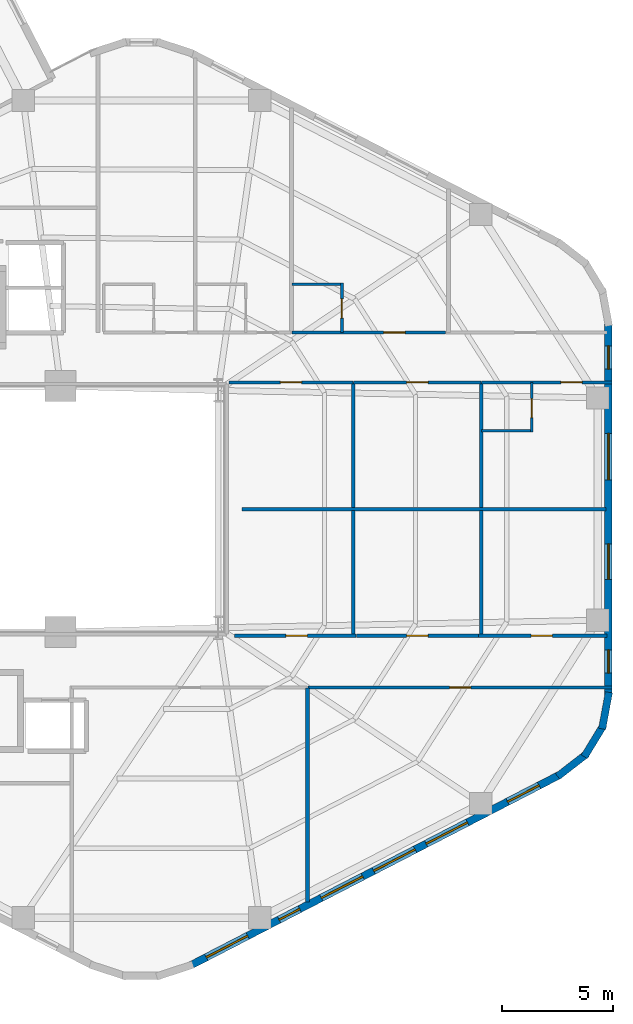
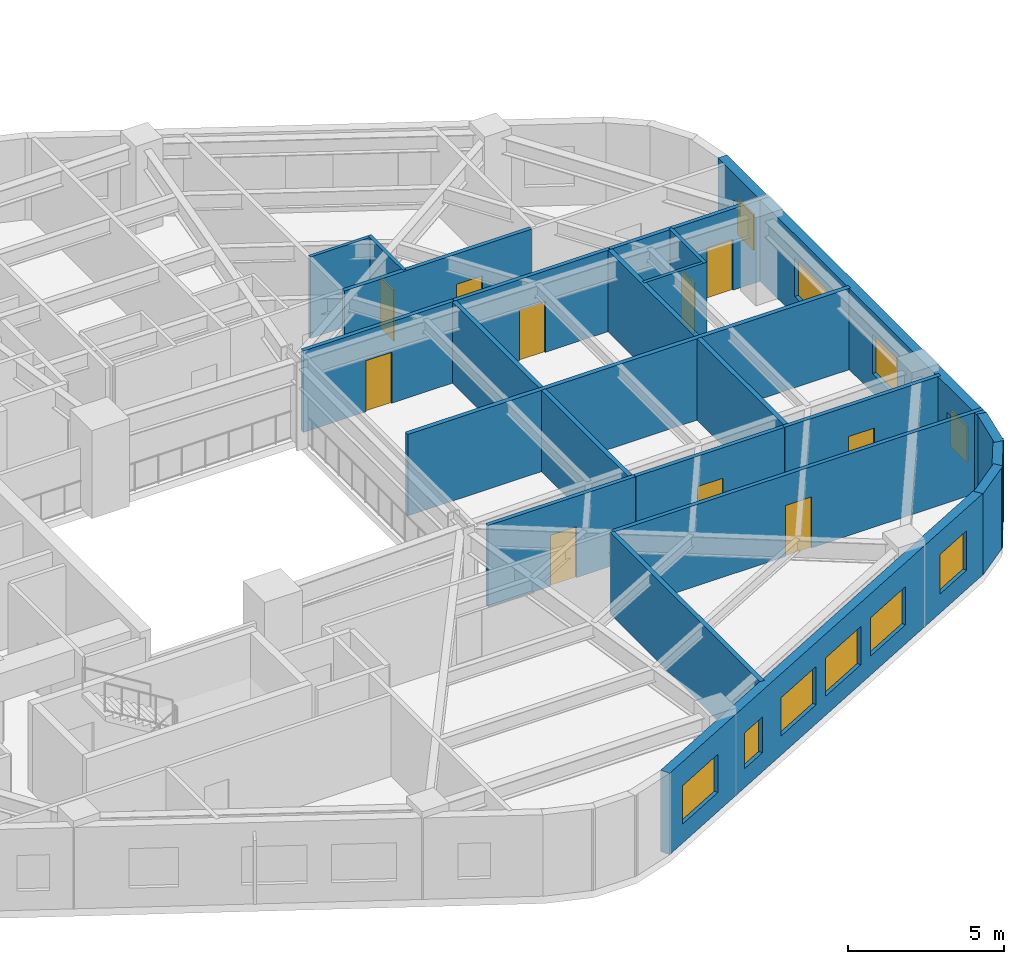
# One storey, part 8 of 11: 23 walls, 10 doors, 10 windows, 20 openings.
"""IFC4 building model written with IfcOpenShell, lengths in metres."""

from ifc_helpers import new_model, si_unit, direction, frame, frame_2d, origin, place, context, subcontext, project, spatial, rectangle, extrude, material, layer, layer_set, type_object, element, fill, save


model = new_model("IFC4")

# Units and contexts
model_context = context("Model", 3, precision=1e-05, world=origin(), true_north=direction((0.0, 1.0)))
body_context = subcontext(model_context, "Body", "Model", "MODEL_VIEW")
ifc_project = project(units=[si_unit("LENGTHUNIT", "METRE"), si_unit("AREAUNIT", "SQUARE_METRE"), si_unit("VOLUMEUNIT", "CUBIC_METRE"), si_unit("PLANEANGLEUNIT", "RADIAN"), si_unit("MASSUNIT", "GRAM", prefix="KILO"), si_unit("THERMODYNAMICTEMPERATUREUNIT", "KELVIN"), si_unit("POWERUNIT", "WATT")], contexts=[model_context])

# Site, building, storey
site_placement = place(None, origin())
site = spatial("IfcSite", under=ifc_project, at=site_placement, CompositionType="ELEMENT")
building_placement = place(site_placement, origin())
building = spatial("IfcBuilding", under=site, at=building_placement, Name="Skarre Station Tower", CompositionType="ELEMENT")
storey_placement = place(building_placement, frame((0.0, 0.0, 146.39990234375)))
storey = spatial("IfcBuildingStorey", under=building, at=storey_placement, Name="L39", CompositionType="ELEMENT", Elevation=146.39990234375)

# Wall, opening, door
ifc_material_1 = material(Name="Acoustic Steel-Stud Gypsum Partition", Category="steel")
ifc_layer_1 = layer(ifc_material_1, 0.14990234375, Name="Acoustic Steel-Stud Gypsum Partition")
ifc_layer_set_1 = layer_set([ifc_layer_1], Name="Acoustic Steel-Stud Gypsum Partition")
wall_type_1 = type_object("IfcWallType", Name="Fire-Rated Corridor Acoustic Partition 150", PredefinedType="PARTITIONING", material=ifc_layer_set_1)
wall_1_placement = place(storey_placement, frame((49.7080078125, 31.9599609375, 0.0), z_axis=(0.0, 0.0, 1.0), x_axis=(-1.0, 0.0, 0.0)))
wall_1 = element("IfcWall", 1, at=wall_1_placement, inside=storey, type_object=wall_type_1, Name="L39 Interior Partition WL-PT-L39-NW3-CW", PredefinedType="PARTITIONING", context=body_context, shape_type="SweptSolid", body=[
    extrude(rectangle(XDim=6.93408203125, YDim=0.14990234375, at=frame_2d((3.467041015625, 0.0))), origin(), (0.0, 0.0, 1.0), 3.190185546875),
])
opening_1_placement = place(wall_1_placement, frame((1.830078125, 0.0, 0.0)))
opening_1 = element("IfcOpeningElement", 2, at=opening_1_placement, cuts=wall_1, Name="Opening DR-FD60", PredefinedType="OPENING", context=body_context, shape_type="SweptSolid", body=[
    extrude(rectangle(XDim=0.9599609375, YDim=2.0, at=frame_2d((0.47998046875, 1.0))), frame((0.0, 0.0849609375, 0.0), z_axis=(0.0, -1.0, 0.0), x_axis=(1.0, 0.0, 0.0)), (0.0, 0.0, 1.0), 0.169921875),
])
ifc_material_2 = material(Name="Nordic White-Oak Veneer Solid-Core Fire Leaf", Category="wood")
door_type_1 = type_object("IfcDoorType", Name="Corridor Suite Entry Fire Door FD60 960x2150", OperationType="SINGLE_SWING_LEFT", PredefinedType="DOOR", material=ifc_material_2)
door_1_placement = place(opening_1_placement, origin())
door_1 = element("IfcDoor", 3, at=door_1_placement, inside=storey, type_object=door_type_1, Name="L39 NW3 Entry Door", OperationType="SINGLE_SWING_LEFT", OverallHeight=2.0, OverallWidth=0.9599609375, PredefinedType="DOOR", context=body_context, shape_type="SweptSolid", body=[
    extrude(rectangle(XDim=0.9599609375, YDim=2.0, at=frame_2d((0.47998046875, 1.0))), frame((0.0, 0.02490234375, 0.0), z_axis=(0.0, -1.0, 0.0), x_axis=(1.0, 0.0, 0.0)), (0.0, 0.0, 1.0), 0.050048828125),
])
fill(opening_1, door_1)

wall_2_placement = place(storey_placement, frame((39.949951171875, 29.7099609375, 0.0), z_axis=(0.0, 0.0, 1.0), x_axis=(1.0, 0.0, 0.0)))
wall_2 = element("IfcWall", 4, at=wall_2_placement, inside=storey, type_object=wall_type_1, Name="L39 Interior Partition WL-PT-L39-EWN1-CW", PredefinedType="PARTITIONING", context=body_context, shape_type="SweptSolid", body=[
    extrude(rectangle(XDim=5.583984375, YDim=0.14990234375, at=frame_2d((2.7919921875, 0.0))), origin(), (0.0, 0.0, 1.0), 3.190185546875),
])
opening_2_placement = place(wall_2_placement, frame((2.31201171875, 0.0, 0.0)))
opening_2 = element("IfcOpeningElement", 5, at=opening_2_placement, cuts=wall_2, Name="Opening DR-FD60", PredefinedType="OPENING", context=body_context, shape_type="SweptSolid", body=[
    extrude(rectangle(XDim=0.9599609375, YDim=2.0, at=frame_2d((0.47998046875, 1.0))), frame((0.0, 0.0849609375, 0.0), z_axis=(0.0, -1.0, 0.0), x_axis=(1.0, 0.0, 0.0)), (0.0, 0.0, 1.0), 0.169921875),
])
door_2_placement = place(opening_2_placement, origin())
door_2 = element("IfcDoor", 6, at=door_2_placement, inside=storey, type_object=door_type_1, Name="L39 EWN1 Entry Door", OperationType="SINGLE_SWING_LEFT", OverallHeight=2.0, OverallWidth=0.9599609375, PredefinedType="DOOR", context=body_context, shape_type="SweptSolid", body=[
    extrude(rectangle(XDim=0.9599609375, YDim=2.0, at=frame_2d((0.47998046875, 1.0))), frame((0.0, 0.02490234375, 0.0), z_axis=(0.0, -1.0, 0.0), x_axis=(1.0, 0.0, 0.0)), (0.0, 0.0, 1.0), 0.050048828125),
])
fill(opening_2, door_2)

wall_3_placement = place(storey_placement, frame((45.56396484375, 29.7099609375, 0.0), z_axis=(0.0, 0.0, 1.0), x_axis=(1.0, 0.0, 0.0)))
wall_3 = element("IfcWall", 7, at=wall_3_placement, inside=storey, type_object=wall_type_1, Name="L39 Interior Partition WL-PT-L39-EWN2-CW", PredefinedType="PARTITIONING", context=body_context, shape_type="SweptSolid", body=[
    extrude(rectangle(XDim=5.739990234375, YDim=0.14990234375, at=frame_2d((2.8701171875, 0.0))), origin(), (0.0, 0.0, 1.0), 3.190185546875),
])
opening_3_placement = place(wall_3_placement, frame((2.389892578125, 0.0, 0.0)))
opening_3 = element("IfcOpeningElement", 8, at=opening_3_placement, cuts=wall_3, Name="Opening DR-FD60", PredefinedType="OPENING", context=body_context, shape_type="SweptSolid", body=[
    extrude(rectangle(XDim=0.9599609375, YDim=2.0, at=frame_2d((0.47998046875, 1.0))), frame((0.0, 0.0849609375, 0.0), z_axis=(0.0, -1.0, 0.0), x_axis=(1.0, 0.0, 0.0)), (0.0, 0.0, 1.0), 0.169921875),
])
door_3_placement = place(opening_3_placement, origin())
door_3 = element("IfcDoor", 9, at=door_3_placement, inside=storey, type_object=door_type_1, Name="L39 EWN2 Entry Door", OperationType="SINGLE_SWING_LEFT", OverallHeight=2.0, OverallWidth=0.9599609375, PredefinedType="DOOR", context=body_context, shape_type="SweptSolid", body=[
    extrude(rectangle(XDim=0.9599609375, YDim=2.0, at=frame_2d((0.47998046875, 1.0))), frame((0.0, 0.02490234375, 0.0), z_axis=(0.0, -1.0, 0.0), x_axis=(1.0, 0.0, 0.0)), (0.0, 0.0, 1.0), 0.050048828125),
])
fill(opening_3, door_3)

wall_4_placement = place(storey_placement, frame((51.333984375, 29.7099609375, 0.0), z_axis=(0.0, 0.0, 1.0), x_axis=(1.0, 0.0, 0.0)))
wall_4 = element("IfcWall", 10, at=wall_4_placement, inside=storey, type_object=wall_type_1, Name="L39 Interior Partition WL-PT-L39-EWN3-CW", PredefinedType="PARTITIONING", context=body_context, shape_type="SweptSolid", body=[
    extrude(rectangle(XDim=5.8740234375, YDim=0.14990234375, at=frame_2d((2.93701171875, 0.0))), origin(), (0.0, 0.0, 1.0), 3.190185546875),
])
opening_4_placement = place(wall_4_placement, frame((3.572021484375, 0.0, 0.0)))
opening_4 = element("IfcOpeningElement", 11, at=opening_4_placement, cuts=wall_4, Name="Opening DR-FD60", PredefinedType="OPENING", context=body_context, shape_type="SweptSolid", body=[
    extrude(rectangle(XDim=0.9599609375, YDim=2.0, at=frame_2d((0.47998046875, 1.0))), frame((0.0, 0.0849609375, 0.0), z_axis=(0.0, -1.0, 0.0), x_axis=(1.0, 0.0, 0.0)), (0.0, 0.0, 1.0), 0.169921875),
])
door_4_placement = place(opening_4_placement, origin())
door_4 = element("IfcDoor", 12, at=door_4_placement, inside=storey, type_object=door_type_1, Name="L39 EWN3 Entry Door", OperationType="SINGLE_SWING_LEFT", OverallHeight=2.0, OverallWidth=0.9599609375, PredefinedType="DOOR", context=body_context, shape_type="SweptSolid", body=[
    extrude(rectangle(XDim=0.9599609375, YDim=2.0, at=frame_2d((0.47998046875, 1.0))), frame((0.0, 0.02490234375, 0.0), z_axis=(0.0, -1.0, 0.0), x_axis=(1.0, 0.0, 0.0)), (0.0, 0.0, 1.0), 0.050048828125),
])
fill(opening_4, door_4)

wall_5_placement = place(storey_placement, frame((45.6689453125, 18.2900390625, 0.0), z_axis=(0.0, 0.0, 1.0), x_axis=(-1.0, 0.0, 0.0)))
wall_5 = element("IfcWall", 13, at=wall_5_placement, inside=storey, type_object=wall_type_1, Name="L39 Interior Partition WL-PT-L39-EWS1-CW", PredefinedType="PARTITIONING", context=body_context, shape_type="SweptSolid", body=[
    extrude(rectangle(XDim=5.468994140625, YDim=0.14990234375, at=frame_2d((2.734375, 0.0))), origin(), (0.0, 0.0, 1.0), 3.190185546875),
])
opening_5_placement = place(wall_5_placement, frame((2.197021484375, 0.0, 0.0)))
opening_5 = element("IfcOpeningElement", 14, at=opening_5_placement, cuts=wall_5, Name="Opening DR-FD60", PredefinedType="OPENING", context=body_context, shape_type="SweptSolid", body=[
    extrude(rectangle(XDim=0.9599609375, YDim=2.0, at=frame_2d((0.47998046875, 1.0))), frame((0.0, 0.0849609375, 0.0), z_axis=(0.0, -1.0, 0.0), x_axis=(1.0, 0.0, 0.0)), (0.0, 0.0, 1.0), 0.169921875),
])
door_5_placement = place(opening_5_placement, origin())
door_5 = element("IfcDoor", 15, at=door_5_placement, inside=storey, type_object=door_type_1, Name="L39 EWS1 Entry Door", OperationType="SINGLE_SWING_LEFT", OverallHeight=2.0, OverallWidth=0.9599609375, PredefinedType="DOOR", context=body_context, shape_type="SweptSolid", body=[
    extrude(rectangle(XDim=0.9599609375, YDim=2.0, at=frame_2d((0.47998046875, 1.0))), frame((0.0, 0.02490234375, 0.0), z_axis=(0.0, -1.0, 0.0), x_axis=(1.0, 0.0, 0.0)), (0.0, 0.0, 1.0), 0.050048828125),
])
fill(opening_5, door_5)

wall_6_placement = place(storey_placement, frame((51.18896484375, 18.2900390625, 0.0), z_axis=(0.0, 0.0, 1.0), x_axis=(-1.0, 0.0, 0.0)))
wall_6 = element("IfcWall", 16, at=wall_6_placement, inside=storey, type_object=wall_type_1, Name="L39 Interior Partition WL-PT-L39-EWS2-CW", PredefinedType="PARTITIONING", context=body_context, shape_type="SweptSolid", body=[
    extrude(rectangle(XDim=5.510009765625, YDim=0.14990234375, at=frame_2d((2.7548828125, 0.0))), origin(), (0.0, 0.0, 1.0), 3.190185546875),
])
opening_6_placement = place(wall_6_placement, frame((2.27490234375, 0.0, 0.0)))
opening_6 = element("IfcOpeningElement", 17, at=opening_6_placement, cuts=wall_6, Name="Opening DR-FD60", PredefinedType="OPENING", context=body_context, shape_type="SweptSolid", body=[
    extrude(rectangle(XDim=0.9599609375, YDim=2.0, at=frame_2d((0.47998046875, 1.0))), frame((0.0, 0.0849609375, 0.0), z_axis=(0.0, -1.0, 0.0), x_axis=(1.0, 0.0, 0.0)), (0.0, 0.0, 1.0), 0.169921875),
])
door_6_placement = place(opening_6_placement, origin())
door_6 = element("IfcDoor", 18, at=door_6_placement, inside=storey, type_object=door_type_1, Name="L39 EWS2 Entry Door", OperationType="SINGLE_SWING_LEFT", OverallHeight=2.0, OverallWidth=0.9599609375, PredefinedType="DOOR", context=body_context, shape_type="SweptSolid", body=[
    extrude(rectangle(XDim=0.9599609375, YDim=2.0, at=frame_2d((0.47998046875, 1.0))), frame((0.0, 0.02490234375, 0.0), z_axis=(0.0, -1.0, 0.0), x_axis=(1.0, 0.0, 0.0)), (0.0, 0.0, 1.0), 0.050048828125),
])
fill(opening_6, door_6)

wall_7_placement = place(storey_placement, frame((56.988037109375, 18.2900390625, 0.0), z_axis=(0.0, 0.0, 1.0), x_axis=(-1.0, 0.0, 0.0)))
wall_7 = element("IfcWall", 19, at=wall_7_placement, inside=storey, type_object=wall_type_1, Name="L39 Interior Partition WL-PT-L39-EWS3-CW", PredefinedType="PARTITIONING", context=body_context, shape_type="SweptSolid", body=[
    extrude(rectangle(XDim=5.7890625, YDim=0.14990234375, at=frame_2d((2.89453125, 0.0))), origin(), (0.0, 0.0, 1.0), 3.190185546875),
])
opening_7_placement = place(wall_7_placement, frame((2.471923828125, 0.0, 0.0)))
opening_7 = element("IfcOpeningElement", 20, at=opening_7_placement, cuts=wall_7, Name="Opening DR-FD60", PredefinedType="OPENING", context=body_context, shape_type="SweptSolid", body=[
    extrude(rectangle(XDim=0.9599609375, YDim=2.0, at=frame_2d((0.47998046875, 1.0))), frame((0.0, 0.0849609375, 0.0), z_axis=(0.0, -1.0, 0.0), x_axis=(1.0, 0.0, 0.0)), (0.0, 0.0, 1.0), 0.169921875),
])
door_7_placement = place(opening_7_placement, origin())
door_7 = element("IfcDoor", 21, at=door_7_placement, inside=storey, type_object=door_type_1, Name="L39 EWS3 Entry Door", OperationType="SINGLE_SWING_LEFT", OverallHeight=2.0, OverallWidth=0.9599609375, PredefinedType="DOOR", context=body_context, shape_type="SweptSolid", body=[
    extrude(rectangle(XDim=0.9599609375, YDim=2.0, at=frame_2d((0.47998046875, 1.0))), frame((0.0, 0.02490234375, 0.0), z_axis=(0.0, -1.0, 0.0), x_axis=(1.0, 0.0, 0.0)), (0.0, 0.0, 1.0), 0.050048828125),
])
fill(opening_7, door_7)

wall_8_placement = place(storey_placement, frame((43.4970703125, 15.9599609375, 0.0), z_axis=(0.0, 0.0, 1.0), x_axis=(1.0, 0.0, 0.0)))
wall_8 = element("IfcWall", 22, at=wall_8_placement, inside=storey, type_object=wall_type_1, Name="L39 Interior Partition WL-PT-L39-SW2-CW", PredefinedType="PARTITIONING", context=body_context, shape_type="SweptSolid", body=[
    extrude(rectangle(XDim=13.7109375, YDim=0.14990234375, at=frame_2d((6.85546875, 0.0))), origin(), (0.0, 0.0, 1.0), 3.190185546875),
])
opening_8_placement = place(wall_8_placement, frame((6.388916015625, 0.0, 0.0)))
opening_8 = element("IfcOpeningElement", 23, at=opening_8_placement, cuts=wall_8, Name="Opening DR-FD60", PredefinedType="OPENING", context=body_context, shape_type="SweptSolid", body=[
    extrude(rectangle(XDim=0.9599609375, YDim=2.0, at=frame_2d((0.47998046875, 1.0))), frame((0.0, 0.0849609375, 0.0), z_axis=(0.0, -1.0, 0.0), x_axis=(1.0, 0.0, 0.0)), (0.0, 0.0, 1.0), 0.169921875),
])
door_8_placement = place(opening_8_placement, origin())
door_8 = element("IfcDoor", 24, at=door_8_placement, inside=storey, type_object=door_type_1, Name="L39 SW2 Entry Door", OperationType="SINGLE_SWING_LEFT", OverallHeight=2.0, OverallWidth=0.9599609375, PredefinedType="DOOR", context=body_context, shape_type="SweptSolid", body=[
    extrude(rectangle(XDim=0.9599609375, YDim=2.0, at=frame_2d((0.47998046875, 1.0))), frame((0.0, 0.02490234375, 0.0), z_axis=(0.0, -1.0, 0.0), x_axis=(1.0, 0.0, 0.0)), (0.0, 0.0, 1.0), 0.050048828125),
])
fill(opening_8, door_8)

ifc_material_3 = material(Name="Insulated Timber-Stud Gypsum Partition", Category="wood")
ifc_layer_2 = layer(ifc_material_3, 0.1201171875, Name="Insulated Timber-Stud Gypsum Partition")
ifc_layer_set_2 = layer_set([ifc_layer_2], Name="Insulated Timber-Stud Gypsum Partition")
wall_type_2 = type_object("IfcWallType", Name="Internal Suite Acoustic Partition 120", PredefinedType="PARTITIONING", material=ifc_layer_set_2)
wall_9_placement = place(storey_placement, frame((45.033935546875, 31.9599609375, 0.0), z_axis=(0.0, 0.0, 1.0), x_axis=(0.0, 1.0, 0.0)))
wall_9 = element("IfcWall", 25, at=wall_9_placement, inside=storey, type_object=wall_type_2, Name="L39 Interior Partition WL-PT-L39-NW3-EW2", PredefinedType="PARTITIONING", context=body_context, shape_type="SweptSolid", body=[
    extrude(rectangle(XDim=2.239990234375, YDim=0.1201171875, at=frame_2d((1.1201171875, 0.0))), origin(), (0.0, 0.0, 1.0), 3.190185546875),
])
opening_9_placement = place(wall_9_placement, frame((0.64990234375, 0.0, 0.0)))
opening_9 = element("IfcOpeningElement", 26, at=opening_9_placement, cuts=wall_9, Name="Opening DR-INT86", PredefinedType="OPENING", context=body_context, shape_type="SweptSolid", body=[
    extrude(rectangle(XDim=0.860107421875, YDim=2.0, at=frame_2d((0.43017578125, 1.0))), frame((0.0, 0.070068359375, 0.0), z_axis=(0.0, -1.0, 0.0), x_axis=(1.0, 0.0, 0.0)), (0.0, 0.0, 1.0), 0.14013671875),
])
ifc_material_4 = material(Name="Nordic Birch Acoustic Solid-Core Timber Leaf", Category="wood")
door_type_2 = type_object("IfcDoorType", Name="Internal En-Suite & Bedroom Door 860x2100", OperationType="SINGLE_SWING_LEFT", PredefinedType="DOOR", material=ifc_material_4)
door_9_placement = place(opening_9_placement, origin())
door_9 = element("IfcDoor", 27, at=door_9_placement, inside=storey, type_object=door_type_2, Name="L39 NW3 En-suite Door", OperationType="SINGLE_SWING_LEFT", OverallHeight=2.0, OverallWidth=0.860107421875, PredefinedType="DOOR", context=body_context, shape_type="SweptSolid", body=[
    extrude(rectangle(XDim=0.860107421875, YDim=2.0, at=frame_2d((0.43017578125, 1.0))), frame((0.0, 0.02490234375, 0.0), z_axis=(0.0, -1.0, 0.0), x_axis=(1.0, 0.0, 0.0)), (0.0, 0.0, 1.0), 0.050048828125),
])
fill(opening_9, door_9)

# Wall
wall_10_placement = place(storey_placement, frame((45.093994140625, 34.139892578125, 0.0), z_axis=(0.0, 0.0, 1.0), x_axis=(-1.0, 0.0, 0.0)))
element("IfcWall", 28, at=wall_10_placement, inside=storey, type_object=wall_type_2, Name="L39 Interior Partition WL-PT-L39-NW3-EW3", PredefinedType="PARTITIONING", context=body_context, shape_type="SweptSolid", body=[
    extrude(rectangle(XDim=2.320068359375, YDim=0.1201171875, at=frame_2d((1.16015625, 0.0))), origin(), (0.0, 0.0, 1.0), 3.190185546875),
])

# Wall, opening, door
wall_11_placement = place(storey_placement, frame((53.593994140625, 27.469970703125, 0.0), z_axis=(0.0, 0.0, 1.0), x_axis=(0.0, 1.0, 0.0)))
wall_11 = element("IfcWall", 29, at=wall_11_placement, inside=storey, type_object=wall_type_2, Name="L39 Interior Partition WL-PT-L39-EWN3-EW2", PredefinedType="PARTITIONING", context=body_context, shape_type="SweptSolid", body=[
    extrude(rectangle(XDim=2.239990234375, YDim=0.1201171875, at=frame_2d((1.1201171875, 0.0))), origin(), (0.0, 0.0, 1.0), 3.190185546875),
])
opening_10_placement = place(wall_11_placement, frame((0.64990234375, 0.0, 0.0)))
opening_10 = element("IfcOpeningElement", 30, at=opening_10_placement, cuts=wall_11, Name="Opening DR-INT86", PredefinedType="OPENING", context=body_context, shape_type="SweptSolid", body=[
    extrude(rectangle(XDim=0.860107421875, YDim=2.0, at=frame_2d((0.43017578125, 1.0))), frame((0.0, 0.070068359375, 0.0), z_axis=(0.0, -1.0, 0.0), x_axis=(1.0, 0.0, 0.0)), (0.0, 0.0, 1.0), 0.14013671875),
])
door_10_placement = place(opening_10_placement, origin())
door_10 = element("IfcDoor", 31, at=door_10_placement, inside=storey, type_object=door_type_2, Name="L39 EWN3 En-suite Door", OperationType="SINGLE_SWING_RIGHT", OverallHeight=2.0, OverallWidth=0.860107421875, PredefinedType="DOOR", context=body_context, shape_type="SweptSolid", body=[
    extrude(rectangle(XDim=0.860107421875, YDim=2.0, at=frame_2d((0.43017578125, 1.0))), frame((0.0, 0.02490234375, 0.0), z_axis=(0.0, -1.0, 0.0), x_axis=(1.0, 0.0, 0.0)), (0.0, 0.0, 1.0), 0.050048828125),
])
fill(opening_10, door_10)

# Wall
wall_12_placement = place(storey_placement, frame((51.333984375, 27.530029296875, 0.0), z_axis=(0.0, 0.0, 1.0), x_axis=(1.0, 0.0, 0.0)))
element("IfcWall", 32, at=wall_12_placement, inside=storey, type_object=wall_type_2, Name="L39 Interior Partition WL-PT-L39-EWN3-EW1", PredefinedType="PARTITIONING", context=body_context, shape_type="SweptSolid", body=[
    extrude(rectangle(XDim=2.320068359375, YDim=0.1201171875, at=frame_2d((1.16015625, 0.0))), origin(), (0.0, 0.0, 1.0), 3.190185546875),
])

# Wall, openings, windows
ifc_material_5 = material(Name="Precast concrete C45/55", Category="concrete")
ifc_layer_3 = layer(ifc_material_5, 0.340087890625, Name="Precast concrete C45/55")
ifc_layer_set_3 = layer_set([ifc_layer_3], Name="Precast concrete C45/55")
wall_type_3 = type_object("IfcWallType", Name="Nordic Honed Precast Facet Wall 340", PredefinedType="STANDARD", material=ifc_layer_set_3)
wall_13_placement = place(storey_placement, frame((54.8310546875, 12.010009765625, 0.0), z_axis=(0.0, 0.0, 1.0), x_axis=(-0.888613612362, -0.458656568606, 0.0)))
wall_13 = element("IfcWall", 33, at=wall_13_placement, inside=storey, type_object=wall_type_3, Name="L39 Facet 4 Nordic Precast Masonry Wall", PredefinedType="STANDARD", context=body_context, shape_type="SweptSolid", body=[
    extrude(rectangle(XDim=18.680908203125, YDim=0.340087890625, at=frame_2d((9.34033203125, 0.0))), origin(), (0.0, 0.0, 1.0), 3.190185546875),
])
opening_11_placement = place(wall_13_placement, frame((1.02294921875, 0.0, 0.75)))
opening_11 = element("IfcOpeningElement", 34, at=opening_11_placement, cuts=wall_13, Name="Opening WN-Z2A", PredefinedType="OPENING", context=body_context, shape_type="SweptSolid", body=[
    extrude(rectangle(XDim=1.60009765625, YDim=1.550048828125, at=frame_2d((0.800048828125, 0.77490234375))), frame((0.0, 0.179931640625, 0.0), z_axis=(0.0, -1.0, 0.0), x_axis=(1.0, 0.0, 0.0)), (0.0, 0.0, 1.0), 0.360107421875),
])
opening_12_placement = place(wall_13_placement, frame((4.655029296875, 0.0, 0.75)))
opening_12 = element("IfcOpeningElement", 35, at=opening_12_placement, cuts=wall_13, Name="Opening WN-Z2B", PredefinedType="OPENING", context=body_context, shape_type="SweptSolid", body=[
    extrude(rectangle(XDim=2.10009765625, YDim=1.5, at=frame_2d((1.050048828125, 0.75))), frame((0.0, 0.179931640625, 0.0), z_axis=(0.0, -1.0, 0.0), x_axis=(1.0, 0.0, 0.0)), (0.0, 0.0, 1.0), 0.360107421875),
])
opening_13_placement = place(wall_13_placement, frame((7.31298828125, 0.0, 0.75)))
opening_13 = element("IfcOpeningElement", 36, at=opening_13_placement, cuts=wall_13, Name="Opening WN-Z2B", PredefinedType="OPENING", context=body_context, shape_type="SweptSolid", body=[
    extrude(rectangle(XDim=2.10009765625, YDim=1.5, at=frame_2d((1.050048828125, 0.75))), frame((0.0, 0.179931640625, 0.0), z_axis=(0.0, -1.0, 0.0), x_axis=(1.0, 0.0, 0.0)), (0.0, 0.0, 1.0), 0.360107421875),
])
opening_14_placement = place(wall_13_placement, frame((9.970947265625, 0.0, 0.75)))
opening_14 = element("IfcOpeningElement", 37, at=opening_14_placement, cuts=wall_13, Name="Opening WN-Z2B", PredefinedType="OPENING", context=body_context, shape_type="SweptSolid", body=[
    extrude(rectangle(XDim=2.10009765625, YDim=1.5, at=frame_2d((1.050048828125, 0.75))), frame((0.0, 0.179931640625, 0.0), z_axis=(0.0, -1.0, 0.0), x_axis=(1.0, 0.0, 0.0)), (0.0, 0.0, 1.0), 0.360107421875),
])
opening_15_placement = place(wall_13_placement, frame((13.1650390625, 0.0, 0.75)))
opening_15 = element("IfcOpeningElement", 38, at=opening_15_placement, cuts=wall_13, Name="Opening WN-SLT", PredefinedType="OPENING", context=body_context, shape_type="SweptSolid", body=[
    extrude(rectangle(XDim=1.050048828125, YDim=1.39990234375, at=frame_2d((0.52490234375, 0.699951171875))), frame((0.0, 0.179931640625, 0.0), z_axis=(0.0, -1.0, 0.0), x_axis=(1.0, 0.0, 0.0)), (0.0, 0.0, 1.0), 0.360107421875),
])
opening_16_placement = place(wall_13_placement, frame((15.80810546875, 0.0, 0.75)))
opening_16 = element("IfcOpeningElement", 39, at=opening_16_placement, cuts=wall_13, Name="Opening WN-Z2B", PredefinedType="OPENING", context=body_context, shape_type="SweptSolid", body=[
    extrude(rectangle(XDim=2.10009765625, YDim=1.5, at=frame_2d((1.050048828125, 0.75))), frame((0.0, 0.179931640625, 0.0), z_axis=(0.0, -1.0, 0.0), x_axis=(1.0, 0.0, 0.0)), (0.0, 0.0, 1.0), 0.360107421875),
])
ifc_material_6 = material(Name="Low-Iron Triple Glazing with Bronze Anodized Frame", Category="glass")
window_type_1 = type_object("IfcWindowType", Name="Nordic Corner Slot Window 1050x1400", PartitioningType="SINGLE_PANEL", PredefinedType="WINDOW", material=ifc_material_6)
window_1_placement = place(opening_15_placement, origin())
window_1 = element("IfcWindow", 40, at=window_1_placement, inside=storey, type_object=window_type_1, Name="L39 Facade Window WL-FAC-L39-F4-5", OverallHeight=1.39990234375, OverallWidth=1.050048828125, PartitioningType="SINGLE_PANEL", PredefinedType="WINDOW", context=body_context, shape_type="SweptSolid", body=[
    extrude(rectangle(XDim=1.050048828125, YDim=1.39990234375, at=frame_2d((0.52490234375, 0.699951171875))), frame((0.0, 0.030029296875, 0.0), z_axis=(0.0, -1.0, 0.0), x_axis=(1.0, 0.0, 0.0)), (0.0, 0.0, 1.0), 0.06005859375),
])
fill(opening_15, window_1)
window_type_2 = type_object("IfcWindowType", Name="Nordic Residential Tall Window 1600x1550", PartitioningType="SINGLE_PANEL", PredefinedType="WINDOW", material=ifc_material_6)
window_2_placement = place(opening_11_placement, origin())
window_2 = element("IfcWindow", 41, at=window_2_placement, inside=storey, type_object=window_type_2, Name="L39 Facade Window WL-FAC-L39-F4-1", OverallHeight=1.550048828125, OverallWidth=1.60009765625, PartitioningType="SINGLE_PANEL", PredefinedType="WINDOW", context=body_context, shape_type="SweptSolid", body=[
    extrude(rectangle(XDim=1.60009765625, YDim=1.550048828125, at=frame_2d((0.800048828125, 0.77490234375))), frame((0.0, 0.030029296875, 0.0), z_axis=(0.0, -1.0, 0.0), x_axis=(1.0, 0.0, 0.0)), (0.0, 0.0, 1.0), 0.06005859375),
])
fill(opening_11, window_2)
window_type_3 = type_object("IfcWindowType", Name="Nordic Residential Twin Window 2100x1500", PartitioningType="SINGLE_PANEL", PredefinedType="WINDOW", material=ifc_material_6)
window_3_placement = place(opening_12_placement, origin())
window_3 = element("IfcWindow", 42, at=window_3_placement, inside=storey, type_object=window_type_3, Name="L39 Facade Window WL-FAC-L39-F4-2", OverallHeight=1.5, OverallWidth=2.10009765625, PartitioningType="SINGLE_PANEL", PredefinedType="WINDOW", context=body_context, shape_type="SweptSolid", body=[
    extrude(rectangle(XDim=2.10009765625, YDim=1.5, at=frame_2d((1.050048828125, 0.75))), frame((0.0, 0.030029296875, 0.0), z_axis=(0.0, -1.0, 0.0), x_axis=(1.0, 0.0, 0.0)), (0.0, 0.0, 1.0), 0.06005859375),
])
fill(opening_12, window_3)
window_4_placement = place(opening_13_placement, origin())
window_4 = element("IfcWindow", 43, at=window_4_placement, inside=storey, type_object=window_type_3, Name="L39 Facade Window WL-FAC-L39-F4-3", OverallHeight=1.5, OverallWidth=2.10009765625, PartitioningType="SINGLE_PANEL", PredefinedType="WINDOW", context=body_context, shape_type="SweptSolid", body=[
    extrude(rectangle(XDim=2.10009765625, YDim=1.5, at=frame_2d((1.050048828125, 0.75))), frame((0.0, 0.030029296875, 0.0), z_axis=(0.0, -1.0, 0.0), x_axis=(1.0, 0.0, 0.0)), (0.0, 0.0, 1.0), 0.06005859375),
])
fill(opening_13, window_4)
window_5_placement = place(opening_14_placement, origin())
window_5 = element("IfcWindow", 44, at=window_5_placement, inside=storey, type_object=window_type_3, Name="L39 Facade Window WL-FAC-L39-F4-4", OverallHeight=1.5, OverallWidth=2.10009765625, PartitioningType="SINGLE_PANEL", PredefinedType="WINDOW", context=body_context, shape_type="SweptSolid", body=[
    extrude(rectangle(XDim=2.10009765625, YDim=1.5, at=frame_2d((1.050048828125, 0.75))), frame((0.0, 0.030029296875, 0.0), z_axis=(0.0, -1.0, 0.0), x_axis=(1.0, 0.0, 0.0)), (0.0, 0.0, 1.0), 0.06005859375),
])
fill(opening_14, window_5)
window_6_placement = place(opening_16_placement, origin())
window_6 = element("IfcWindow", 45, at=window_6_placement, inside=storey, type_object=window_type_3, Name="L39 Facade Window WL-FAC-L39-F4-6", OverallHeight=1.5, OverallWidth=2.10009765625, PartitioningType="SINGLE_PANEL", PredefinedType="WINDOW", context=body_context, shape_type="SweptSolid", body=[
    extrude(rectangle(XDim=2.10009765625, YDim=1.5, at=frame_2d((1.050048828125, 0.75))), frame((0.0, 0.030029296875, 0.0), z_axis=(0.0, -1.0, 0.0), x_axis=(1.0, 0.0, 0.0)), (0.0, 0.0, 1.0), 0.06005859375),
])
fill(opening_16, window_6)

wall_14_placement = place(storey_placement, frame((57.048095703125, 32.35205078125, 0.0), z_axis=(0.0, 0.0, 1.0), x_axis=(0.0, -1.0, 0.0)))
wall_14 = element("IfcWall", 46, at=wall_14_placement, inside=storey, type_object=wall_type_3, Name="L39 Facet 5 Nordic Precast Masonry Wall", PredefinedType="STANDARD", context=body_context, shape_type="SweptSolid", body=[
    extrude(rectangle(XDim=16.7041015625, YDim=0.340087890625, at=frame_2d((8.35205078125, 0.0))), origin(), (0.0, 0.0, 1.0), 3.190185546875),
])
opening_17_placement = place(wall_14_placement, frame((0.991943359375, 0.0, 0.75)))
opening_17 = element("IfcOpeningElement", 47, at=opening_17_placement, cuts=wall_14, Name="Opening WN-SLT", PredefinedType="OPENING", context=body_context, shape_type="SweptSolid", body=[
    extrude(rectangle(XDim=1.050048828125, YDim=1.39990234375, at=frame_2d((0.52490234375, 0.699951171875))), frame((0.0, 0.179931640625, 0.0), z_axis=(0.0, -1.0, 0.0), x_axis=(1.0, 0.0, 0.0)), (0.0, 0.0, 1.0), 0.360107421875),
])
opening_18_placement = place(wall_14_placement, frame((4.93505859375, 0.0, 0.75)))
opening_18 = element("IfcOpeningElement", 48, at=opening_18_placement, cuts=wall_14, Name="Opening WN-Z2B", PredefinedType="OPENING", context=body_context, shape_type="SweptSolid", body=[
    extrude(rectangle(XDim=2.10009765625, YDim=1.5, at=frame_2d((1.050048828125, 0.75))), frame((0.0, 0.179931640625, 0.0), z_axis=(0.0, -1.0, 0.0), x_axis=(1.0, 0.0, 0.0)), (0.0, 0.0, 1.0), 0.360107421875),
])
opening_19_placement = place(wall_14_placement, frame((9.9189453125, 0.0, 0.75)))
opening_19 = element("IfcOpeningElement", 49, at=opening_19_placement, cuts=wall_14, Name="Opening WN-Z2A", PredefinedType="OPENING", context=body_context, shape_type="SweptSolid", body=[
    extrude(rectangle(XDim=1.60009765625, YDim=1.550048828125, at=frame_2d((0.800048828125, 0.77490234375))), frame((0.0, 0.179931640625, 0.0), z_axis=(0.0, -1.0, 0.0), x_axis=(1.0, 0.0, 0.0)), (0.0, 0.0, 1.0), 0.360107421875),
])
opening_20_placement = place(wall_14_placement, frame((14.701904296875, 0.0, 0.75)))
opening_20 = element("IfcOpeningElement", 50, at=opening_20_placement, cuts=wall_14, Name="Opening WN-SLT", PredefinedType="OPENING", context=body_context, shape_type="SweptSolid", body=[
    extrude(rectangle(XDim=1.050048828125, YDim=1.39990234375, at=frame_2d((0.52490234375, 0.699951171875))), frame((0.0, 0.179931640625, 0.0), z_axis=(0.0, -1.0, 0.0), x_axis=(1.0, 0.0, 0.0)), (0.0, 0.0, 1.0), 0.360107421875),
])
window_7_placement = place(opening_17_placement, origin())
window_7 = element("IfcWindow", 51, at=window_7_placement, inside=storey, type_object=window_type_1, Name="L39 Facade Window WL-FAC-L39-F5-1", OverallHeight=1.39990234375, OverallWidth=1.050048828125, PartitioningType="SINGLE_PANEL", PredefinedType="WINDOW", context=body_context, shape_type="SweptSolid", body=[
    extrude(rectangle(XDim=1.050048828125, YDim=1.39990234375, at=frame_2d((0.52490234375, 0.699951171875))), frame((0.0, 0.030029296875, 0.0), z_axis=(0.0, -1.0, 0.0), x_axis=(1.0, 0.0, 0.0)), (0.0, 0.0, 1.0), 0.06005859375),
])
fill(opening_17, window_7)
window_8_placement = place(opening_20_placement, origin())
window_8 = element("IfcWindow", 52, at=window_8_placement, inside=storey, type_object=window_type_1, Name="L39 Facade Window WL-FAC-L39-F5-4", OverallHeight=1.39990234375, OverallWidth=1.050048828125, PartitioningType="SINGLE_PANEL", PredefinedType="WINDOW", context=body_context, shape_type="SweptSolid", body=[
    extrude(rectangle(XDim=1.050048828125, YDim=1.39990234375, at=frame_2d((0.52490234375, 0.699951171875))), frame((0.0, 0.030029296875, 0.0), z_axis=(0.0, -1.0, 0.0), x_axis=(1.0, 0.0, 0.0)), (0.0, 0.0, 1.0), 0.06005859375),
])
fill(opening_20, window_8)
window_9_placement = place(opening_19_placement, origin())
window_9 = element("IfcWindow", 53, at=window_9_placement, inside=storey, type_object=window_type_2, Name="L39 Facade Window WL-FAC-L39-F5-3", OverallHeight=1.550048828125, OverallWidth=1.60009765625, PartitioningType="SINGLE_PANEL", PredefinedType="WINDOW", context=body_context, shape_type="SweptSolid", body=[
    extrude(rectangle(XDim=1.60009765625, YDim=1.550048828125, at=frame_2d((0.800048828125, 0.77490234375))), frame((0.0, 0.030029296875, 0.0), z_axis=(0.0, -1.0, 0.0), x_axis=(1.0, 0.0, 0.0)), (0.0, 0.0, 1.0), 0.06005859375),
])
fill(opening_19, window_9)
window_10_placement = place(opening_18_placement, origin())
window_10 = element("IfcWindow", 54, at=window_10_placement, inside=storey, type_object=window_type_3, Name="L39 Facade Window WL-FAC-L39-F5-2", OverallHeight=1.5, OverallWidth=2.10009765625, PartitioningType="SINGLE_PANEL", PredefinedType="WINDOW", context=body_context, shape_type="SweptSolid", body=[
    extrude(rectangle(XDim=2.10009765625, YDim=1.5, at=frame_2d((1.050048828125, 0.75))), frame((0.0, 0.030029296875, 0.0), z_axis=(0.0, -1.0, 0.0), x_axis=(1.0, 0.0, 0.0)), (0.0, 0.0, 1.0), 0.06005859375),
])
fill(opening_18, window_10)

# Walls
ifc_layer_4 = layer(ifc_material_5, 0.330078125, Name="Precast concrete C45/55")
ifc_layer_set_4 = layer_set([ifc_layer_4], Name="Precast concrete C45/55")
wall_type_4 = type_object("IfcWallType", Name="Nordic Rounded Corner Precast Wall 330", PredefinedType="STANDARD", material=ifc_layer_set_4)
wall_15_placement = place(storey_placement, frame((57.068115234375, 15.741943359375, 0.0), z_axis=(0.0, 0.0, 1.0), x_axis=(-0.181984991895, -0.983301308209, 0.0)))
element("IfcWall", 55, at=wall_15_placement, inside=storey, type_object=wall_type_4, Name="L39 Rounded Corner Precast Wall F5-1", PredefinedType="STANDARD", context=body_context, shape_type="SweptSolid", body=[
    extrude(rectangle(XDim=1.677001953125, YDim=0.330078125, at=frame_2d((0.83837890625, 0.0))), origin(), (0.0, 0.0, 1.0), 3.190185546875),
])
wall_16_placement = place(storey_placement, frame((56.830078125, 14.26806640625, 0.0), z_axis=(0.0, 0.0, 1.0), x_axis=(-0.520519429557, -0.853849824883, 0.0)))
element("IfcWall", 56, at=wall_16_placement, inside=storey, type_object=wall_type_4, Name="L39 Rounded Corner Precast Wall F5-2", PredefinedType="STANDARD", context=body_context, shape_type="SweptSolid", body=[
    extrude(rectangle(XDim=1.67724609375, YDim=0.330078125, at=frame_2d((0.838623046875, 0.0))), origin(), (0.0, 0.0, 1.0), 3.190185546875),
])
wall_17_placement = place(storey_placement, frame((56.08203125, 12.97607421875, 0.0), z_axis=(0.0, 0.0, 1.0), x_axis=(-0.790621329885, -0.612305408053, 0.0)))
element("IfcWall", 57, at=wall_17_placement, inside=storey, type_object=wall_type_4, Name="L39 Rounded Corner Precast Wall F5-3", PredefinedType="STANDARD", context=body_context, shape_type="SweptSolid", body=[
    extrude(rectangle(XDim=1.67578125, YDim=0.330078125, at=frame_2d((0.837890625, 0.0))), origin(), (0.0, 0.0, 1.0), 3.190185546875),
])
ifc_layer_5 = layer(ifc_material_1, 0.1650390625, Name="Acoustic Steel-Stud Gypsum Partition")
ifc_layer_set_5 = layer_set([ifc_layer_5], Name="Acoustic Steel-Stud Gypsum Partition")
wall_type_5 = type_object("IfcWallType", Name="Suite Demising Acoustic Partition 165", PredefinedType="PARTITIONING", material=ifc_layer_set_5)
wall_18_placement = place(storey_placement, frame((40.52001953125, 24.0, 0.0), z_axis=(0.0, 0.0, 1.0), x_axis=(1.0, 0.0, 0.0)))
element("IfcWall", 58, at=wall_18_placement, inside=storey, type_object=wall_type_5, Name="L39 Interior Partition WL-PT-L39-EW-Z2MID", PredefinedType="PARTITIONING", context=body_context, shape_type="SweptSolid", body=[
    extrude(rectangle(XDim=16.407958984375, YDim=0.1650390625, at=frame_2d((8.2041015625, 0.0))), origin(), (0.0, 0.0, 1.0), 3.190185546875),
])
for number, where, z_axis, x_axis, name in (
    (59, (45.549072265625, 24.070068359375, 0.0), (0.0, 0.0, 1.0), (0.0, 1.0, 0.0), "L39 Interior Partition WL-PT-L39-EWN-P1"),
    (60, (51.319091796875, 24.070068359375, 0.0), (0.0, 0.0, 1.0), (0.0, 1.0, 0.0), "L39 Interior Partition WL-PT-L39-EWN-P2"),
    (61, (45.549072265625, 18.2900390625, 0.0), (0.0, 0.0, 1.0), (0.0, 1.0, 0.0), "L39 Interior Partition WL-PT-L39-EWS-P1"),
    (62, (51.319091796875, 18.2900390625, 0.0), (0.0, 0.0, 1.0), (0.0, 1.0, 0.0), "L39 Interior Partition WL-PT-L39-EWS-P2"),
):
    element("IfcWall", number, at=place(storey_placement, frame(where, z_axis=z_axis, x_axis=x_axis)), inside=storey, type_object=wall_type_5, Name=name, PredefinedType="PARTITIONING", context=body_context, shape_type="SweptSolid", body=[
        extrude(rectangle(XDim=5.639892578125, YDim=0.1650390625, at=frame_2d((2.81982421875, 0.0))), origin(), (0.0, 0.0, 1.0), 3.190185546875),
    ])
wall_19_placement = place(storey_placement, frame((43.47900390625, 6.285888671875, 0.0), z_axis=(0.0, 0.0, 1.0), x_axis=(0.0, 1.0, 0.0)))
element("IfcWall", 63, at=wall_19_placement, inside=storey, type_object=wall_type_5, Name="L39 Interior Partition WL-PT-L39-SW-P1", PredefinedType="PARTITIONING", context=body_context, shape_type="SweptSolid", body=[
    extrude(rectangle(XDim=9.64404296875, YDim=0.1650390625, at=frame_2d((4.822021484375, 0.0))), origin(), (0.0, 0.0, 1.0), 3.190185546875),
])

save(model, "model.ifc")
